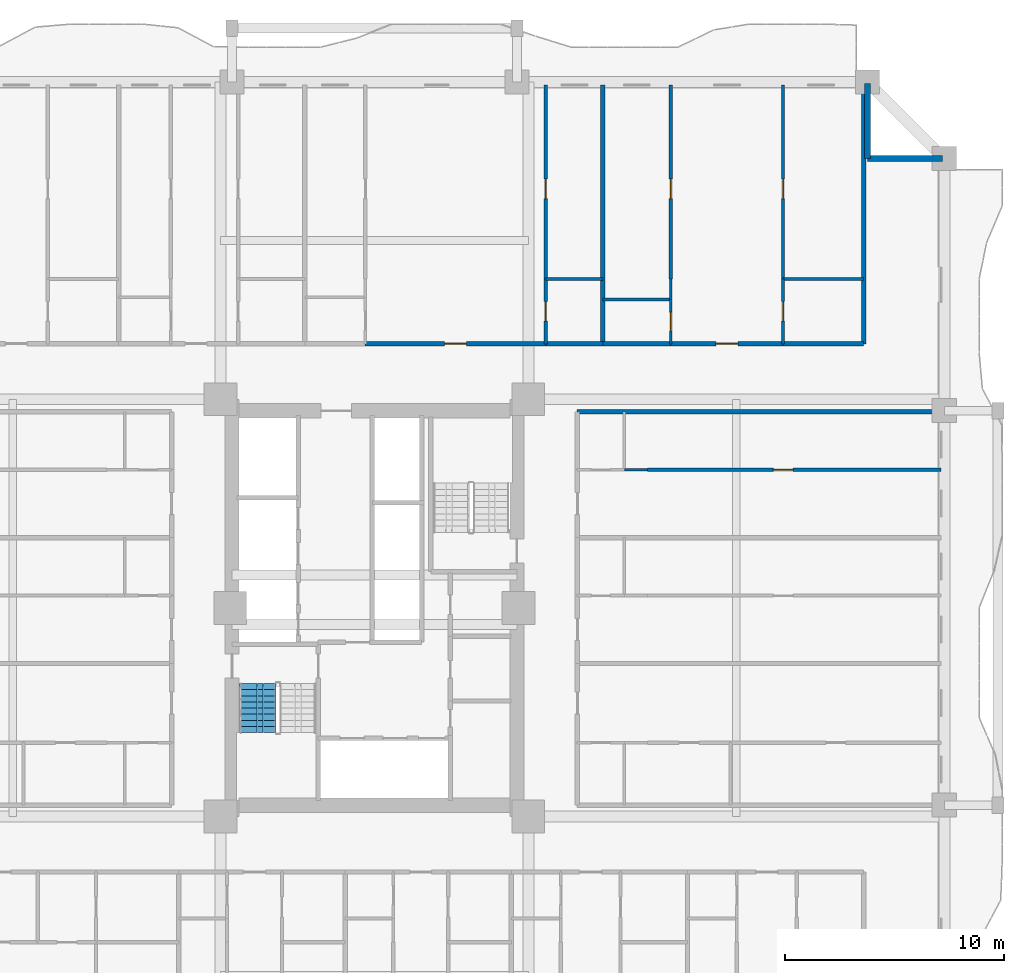
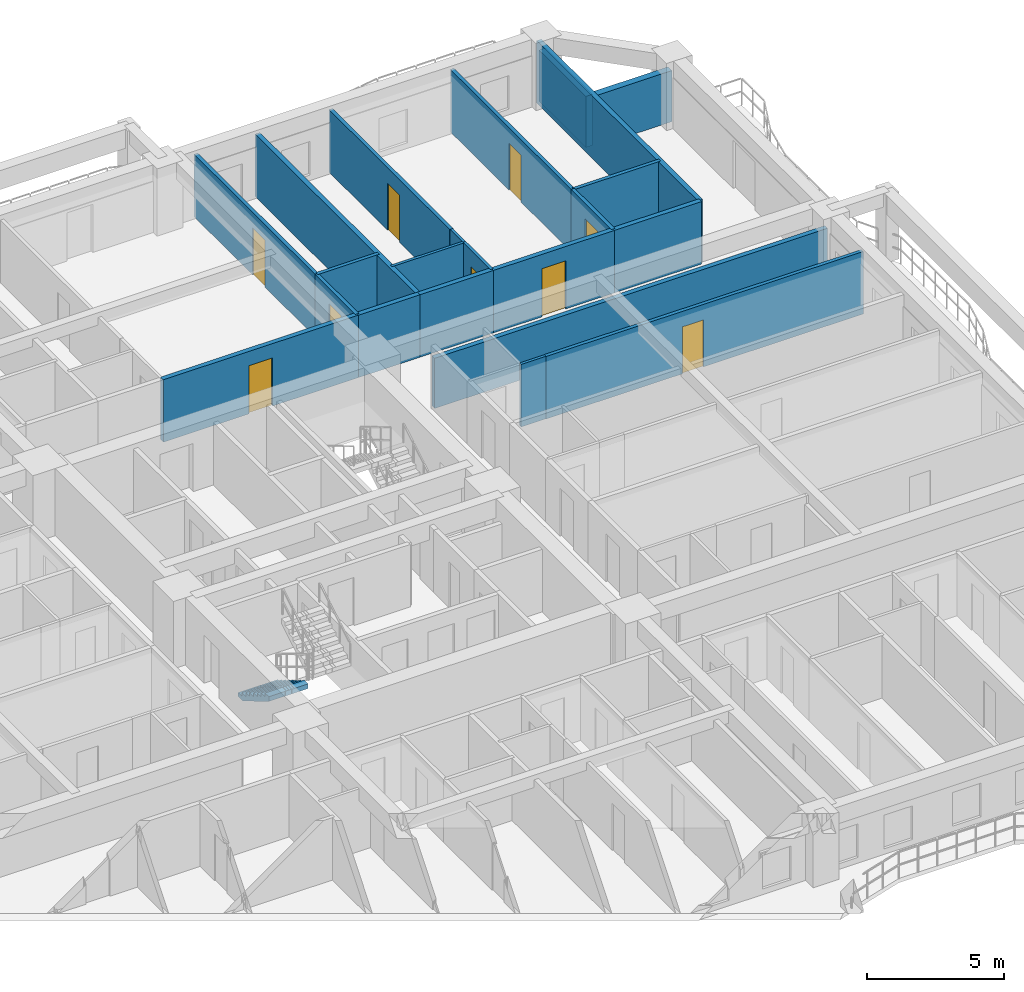
# One storey, part 9 of 16: 22 walls, 9 doors, 1 stair flight, 9 openings, 1 element without a shape of its own.
"""IFC4 building model written with IfcOpenShell, lengths in metres."""

from ifc_helpers import new_model, si_unit, direction, frame, frame_2d, origin, place, context, subcontext, project, spatial, polyline, rectangle, outline, extrude, source, transform, mapped, material, layer, layer_set, type_object, element, fill, aggregate, save


model = new_model("IFC4")

# Units and contexts
model_context = context("Model", 3, precision=1e-05, world=origin(), true_north=direction((0.0, 1.0)))
body_context = subcontext(model_context, "Body", "Model", "MODEL_VIEW")
ifc_project = project(units=[si_unit("LENGTHUNIT", "METRE"), si_unit("AREAUNIT", "SQUARE_METRE"), si_unit("VOLUMEUNIT", "CUBIC_METRE"), si_unit("PLANEANGLEUNIT", "RADIAN"), si_unit("MASSUNIT", "GRAM", prefix="KILO")], contexts=[model_context])

# Site, building, storey
site_placement = place(None, origin())
site = spatial("IfcSite", under=ifc_project, at=site_placement, CompositionType="ELEMENT")
building_placement = place(site_placement, origin())
building = spatial("IfcBuilding", under=site, at=building_placement, Name="Saelheon Loggia Tower", CompositionType="ELEMENT")
storey_placement = place(building_placement, frame((0.0, 0.0, 55.39990234375)))
storey = spatial("IfcBuildingStorey", under=building, at=storey_placement, Name="L17", CompositionType="ELEMENT", Elevation=55.39990234375)

# Walls
ifc_material_1 = material(Name="Architectural Precast Concrete C40/50", Category="concrete")
ifc_layer_1 = layer(ifc_material_1, 0.280029296875)
ifc_layer_set_1 = layer_set([ifc_layer_1], Name="Architectural Precast Concrete C40/50")
wall_type_1 = type_object("IfcWallType", Name="Wall_Ext_Loggia_280", PredefinedType="SOLIDWALL", material=ifc_layer_set_1)
for number, where, z_axis, x_axis, name in (
    (1, (60.5, 47.5, 0.0), (0.0, 0.0, 1.0), (0.0, 1.0, 0.0), "L17 Corner Notch Precast Wall NE1"),
    (2, (60.5, 47.5, 0.0), (0.0, 0.0, 1.0), (1.0, 0.0, 0.0), "L17 Corner Notch Precast Wall NE2"),
):
    element("IfcWall", number, at=place(storey_placement, frame(where, z_axis=z_axis, x_axis=x_axis)), inside=storey, type_object=wall_type_1, Name=name, PredefinedType="SOLIDWALL", context=body_context, shape_type="SweptSolid", body=[
        extrude(rectangle(XDim=3.419921875, YDim=0.280029296875, at=frame_2d((1.7099609375, 0.0))), origin(), (0.0, 0.0, 1.0), 2.280029296875),
    ])
ifc_material_2 = material(Name="Lightweight Autoclaved Aerated Concrete Block and Acoustic Gypsum", Category="concrete")
ifc_layer_2 = layer(ifc_material_2, 0.14990234375)
ifc_layer_set_2 = layer_set([ifc_layer_2], Name="Lightweight Autoclaved Aerated Concrete Block and Acoustic Gypsum")
wall_type_2 = type_object("IfcWallType", Name="Wall_Part_150", PredefinedType="PARTITIONING", material=ifc_layer_set_2)
wall_1_placement = place(storey_placement, frame((45.820068359375, 42.010009765625, 0.0), z_axis=(0.0, 0.0, 1.0), x_axis=(1.0, 0.0, 0.0)))
element("IfcWall", 3, at=wall_1_placement, inside=storey, type_object=wall_type_2, Name="L17 N Partition V31", PredefinedType="PARTITIONING", context=body_context, shape_type="SweptSolid", body=[
    extrude(rectangle(XDim=2.602783203125, YDim=0.14990234375, at=frame_2d((1.30126953125, 0.0))), origin(), (0.0, 0.0, 1.0), 2.7900390625),
])

# Wall, opening, door
wall_2_placement = place(storey_placement, frame((45.820068359375, 39.050048828125, 0.0), z_axis=(0.0, 0.0, 1.0), x_axis=(0.0, 1.0, 0.0)))
wall_2 = element("IfcWall", 4, at=wall_2_placement, inside=storey, type_object=wall_type_2, Name="L17 N Partition U35", PredefinedType="PARTITIONING", context=body_context, shape_type="SweptSolid", body=[
    extrude(rectangle(XDim=2.9599609375, YDim=0.14990234375, at=frame_2d((1.47998046875, 0.0))), origin(), (0.0, 0.0, 1.0), 2.7900390625),
])
opening_1_placement = place(wall_2_placement, frame((1.030029296875, 0.0, 0.0)))
opening_1 = element("IfcOpeningElement", 5, at=opening_1_placement, cuts=wall_2, Name="Opening D-IN2", PredefinedType="OPENING", context=body_context, shape_type="SweptSolid", body=[
    extrude(rectangle(XDim=0.89990234375, YDim=2.10009765625, at=frame_2d((0.449951171875, 1.050048828125))), frame((0.0, 0.0869140625, 0.0), z_axis=(0.0, -1.0, 0.0), x_axis=(1.0, 0.0, 0.0)), (0.0, 0.0, 1.0), 0.173828125),
])
ifc_material_3 = material(Name="Engineered Oak Flush Door", Category="timber")
door_type_1 = type_object("IfcDoorType", Name="Door_Int_900", OperationType="NOTDEFINED", PredefinedType="DOOR", material=ifc_material_3)
shared_shape_1 = source(origin(), body_context, "Body", "SweptSolid", [
    extrude(rectangle(XDim=0.89990234375, YDim=2.10009765625, at=frame_2d((0.449951171875, 1.050048828125))), frame((0.0, 0.02490234375, 0.0), z_axis=(0.0, -1.0, 0.0), x_axis=(1.0, 0.0, 0.0)), (0.0, 0.0, 1.0), 0.050048828125),
])
door_1_placement = place(opening_1_placement, origin())
door_1 = element("IfcDoor", 6, at=door_1_placement, inside=storey, type_object=door_type_1, Name="Unit U08 Dressing Closet Door", OperationType="SINGLE_SWING_RIGHT", OverallHeight=2.10009765625, OverallWidth=0.89990234375, PredefinedType="DOOR", context=body_context, shape_type="MappedRepresentation", body=[
    mapped(shared_shape_1, transform((0.0, 0.0, 0.0), scale=1.0)),
])
fill(opening_1, door_1)

wall_3_placement = place(storey_placement, frame((45.820068359375, 42.010009765625, 0.0), z_axis=(0.0, 0.0, 1.0), x_axis=(0.0, 1.0, 0.0)))
wall_3 = element("IfcWall", 7, at=wall_3_placement, inside=storey, type_object=wall_type_2, Name="L17 N Partition U36", PredefinedType="PARTITIONING", context=body_context, shape_type="SweptSolid", body=[
    extrude(rectangle(XDim=8.840087890625, YDim=0.14990234375, at=frame_2d((4.419921875, 0.0))), origin(), (0.0, 0.0, 1.0), 2.7900390625),
])
opening_2_placement = place(wall_3_placement, frame((3.6591796875, 0.0, 0.0)))
opening_2 = element("IfcOpeningElement", 8, at=opening_2_placement, cuts=wall_3, Name="Opening D-IN2", PredefinedType="OPENING", context=body_context, shape_type="SweptSolid", body=[
    extrude(rectangle(XDim=0.89990234375, YDim=2.10009765625, at=frame_2d((0.449951171875, 1.050048828125))), frame((0.0, 0.0869140625, 0.0), z_axis=(0.0, -1.0, 0.0), x_axis=(1.0, 0.0, 0.0)), (0.0, 0.0, 1.0), 0.173828125),
])
door_2_placement = place(opening_2_placement, origin())
door_2 = element("IfcDoor", 9, at=door_2_placement, inside=storey, type_object=door_type_1, Name="Unit U08 Bedroom 1 Door", OperationType="SINGLE_SWING_LEFT", OverallHeight=2.10009765625, OverallWidth=0.89990234375, PredefinedType="DOOR", context=body_context, shape_type="MappedRepresentation", body=[
    mapped(shared_shape_1, transform((0.0, 0.0, 0.0), scale=1.0)),
])
fill(opening_2, door_2)

# Wall
wall_4_placement = place(storey_placement, frame((56.6435546875, 42.010009765625, 0.0), z_axis=(0.0, 0.0, 1.0), x_axis=(1.0, 0.0, 0.0)))
element("IfcWall", 10, at=wall_4_placement, inside=storey, type_object=wall_type_2, Name="L17 N Partition V42", PredefinedType="PARTITIONING", context=body_context, shape_type="SweptSolid", body=[
    extrude(rectangle(XDim=3.676513671875, YDim=0.14990234375, at=frame_2d((1.83837890625, 0.0))), origin(), (0.0, 0.0, 1.0), 2.7900390625),
])

# Wall, opening, door
wall_5_placement = place(storey_placement, frame((51.51611328125, 42.010009765625, 0.0), z_axis=(0.0, 0.0, 1.0), x_axis=(0.0, 1.0, 0.0)))
wall_5 = element("IfcWall", 11, at=wall_5_placement, inside=storey, type_object=wall_type_2, Name="L17 N Partition U45", PredefinedType="PARTITIONING", context=body_context, shape_type="SweptSolid", body=[
    extrude(rectangle(XDim=8.840087890625, YDim=0.14990234375, at=frame_2d((4.419921875, 0.0))), origin(), (0.0, 0.0, 1.0), 2.7900390625),
])
opening_3_placement = place(wall_5_placement, frame((3.6591796875, 0.0, 0.0)))
opening_3 = element("IfcOpeningElement", 12, at=opening_3_placement, cuts=wall_5, Name="Opening D-IN2", PredefinedType="OPENING", context=body_context, shape_type="SweptSolid", body=[
    extrude(rectangle(XDim=0.89990234375, YDim=2.10009765625, at=frame_2d((0.449951171875, 1.050048828125))), frame((0.0, 0.0869140625, 0.0), z_axis=(0.0, -1.0, 0.0), x_axis=(1.0, 0.0, 0.0)), (0.0, 0.0, 1.0), 0.173828125),
])
door_3_placement = place(opening_3_placement, origin())
door_3 = element("IfcDoor", 13, at=door_3_placement, inside=storey, type_object=door_type_1, Name="Unit U09 Bedroom 2 Door", OperationType="SINGLE_SWING_RIGHT", OverallHeight=2.10009765625, OverallWidth=0.89990234375, PredefinedType="DOOR", context=body_context, shape_type="MappedRepresentation", body=[
    mapped(shared_shape_1, transform((0.0, 0.0, 0.0), scale=1.0)),
])
fill(opening_3, door_3)

wall_6_placement = place(storey_placement, frame((56.6435546875, 39.050048828125, 0.0), z_axis=(0.0, 0.0, 1.0), x_axis=(0.0, 1.0, 0.0)))
wall_6 = element("IfcWall", 14, at=wall_6_placement, inside=storey, type_object=wall_type_2, Name="L17 N Partition U46", PredefinedType="PARTITIONING", context=body_context, shape_type="SweptSolid", body=[
    extrude(rectangle(XDim=2.9599609375, YDim=0.14990234375, at=frame_2d((1.47998046875, 0.0))), origin(), (0.0, 0.0, 1.0), 2.7900390625),
])
opening_4_placement = place(wall_6_placement, frame((1.030029296875, 0.0, 0.0)))
opening_4 = element("IfcOpeningElement", 15, at=opening_4_placement, cuts=wall_6, Name="Opening D-IN2", PredefinedType="OPENING", context=body_context, shape_type="SweptSolid", body=[
    extrude(rectangle(XDim=0.89990234375, YDim=2.10009765625, at=frame_2d((0.449951171875, 1.050048828125))), frame((0.0, 0.0869140625, 0.0), z_axis=(0.0, -1.0, 0.0), x_axis=(1.0, 0.0, 0.0)), (0.0, 0.0, 1.0), 0.173828125),
])
door_4_placement = place(opening_4_placement, origin())
door_4 = element("IfcDoor", 16, at=door_4_placement, inside=storey, type_object=door_type_1, Name="Unit U09 Kitchen Door", OperationType="SINGLE_SWING_LEFT", OverallHeight=2.10009765625, OverallWidth=0.89990234375, PredefinedType="DOOR", context=body_context, shape_type="MappedRepresentation", body=[
    mapped(shared_shape_1, transform((0.0, 0.0, 0.0), scale=1.0)),
])
fill(opening_4, door_4)

wall_7_placement = place(storey_placement, frame((56.6435546875, 42.010009765625, 0.0), z_axis=(0.0, 0.0, 1.0), x_axis=(0.0, 1.0, 0.0)))
wall_7 = element("IfcWall", 17, at=wall_7_placement, inside=storey, type_object=wall_type_2, Name="L17 N Partition U47", PredefinedType="PARTITIONING", context=body_context, shape_type="SweptSolid", body=[
    extrude(rectangle(XDim=8.840087890625, YDim=0.14990234375, at=frame_2d((4.419921875, 0.0))), origin(), (0.0, 0.0, 1.0), 2.7900390625),
])
opening_5_placement = place(wall_7_placement, frame((3.6591796875, 0.0, 0.0)))
opening_5 = element("IfcOpeningElement", 18, at=opening_5_placement, cuts=wall_7, Name="Opening D-IN2", PredefinedType="OPENING", context=body_context, shape_type="SweptSolid", body=[
    extrude(rectangle(XDim=0.89990234375, YDim=2.10009765625, at=frame_2d((0.449951171875, 1.050048828125))), frame((0.0, 0.0869140625, 0.0), z_axis=(0.0, -1.0, 0.0), x_axis=(1.0, 0.0, 0.0)), (0.0, 0.0, 1.0), 0.173828125),
])
door_5_placement = place(opening_5_placement, origin())
door_5 = element("IfcDoor", 19, at=door_5_placement, inside=storey, type_object=door_type_1, Name="Unit U09 Bedroom 1 Door", OperationType="SINGLE_SWING_RIGHT", OverallHeight=2.10009765625, OverallWidth=0.89990234375, PredefinedType="DOOR", context=body_context, shape_type="MappedRepresentation", body=[
    mapped(shared_shape_1, transform((0.0, 0.0, 0.0), scale=1.0)),
])
fill(opening_5, door_5)

wall_8_placement = place(storey_placement, frame((50.449951171875, 33.307861328125, 0.0), z_axis=(0.0, 0.0, 1.0), x_axis=(1.0, 0.0, 0.0)))
wall_8 = element("IfcWall", 20, at=wall_8_placement, inside=storey, type_object=wall_type_2, Name="L17 E Partition U24", PredefinedType="PARTITIONING", context=body_context, shape_type="SweptSolid", body=[
    extrude(rectangle(XDim=13.400146484375, YDim=0.14990234375, at=frame_2d((6.7001953125, 0.0))), origin(), (0.0, 0.0, 1.0), 2.7900390625),
])
opening_6_placement = place(wall_8_placement, frame((5.749267578125, 0.0, 0.0)))
opening_6 = element("IfcOpeningElement", 21, at=opening_6_placement, cuts=wall_8, Name="Opening D-IN2", PredefinedType="OPENING", context=body_context, shape_type="SweptSolid", body=[
    extrude(rectangle(XDim=0.89990234375, YDim=2.10009765625, at=frame_2d((0.449951171875, 1.050048828125))), frame((0.0, 0.0869140625, 0.0), z_axis=(0.0, -1.0, 0.0), x_axis=(1.0, 0.0, 0.0)), (0.0, 0.0, 1.0), 0.173828125),
])
door_6_placement = place(opening_6_placement, origin())
door_6 = element("IfcDoor", 22, at=door_6_placement, inside=storey, type_object=door_type_1, Name="Unit U15 Kitchen Door", OperationType="SINGLE_SWING_RIGHT", OverallHeight=2.10009765625, OverallWidth=0.89990234375, PredefinedType="DOOR", context=body_context, shape_type="MappedRepresentation", body=[
    mapped(shared_shape_1, transform((0.0, 0.0, 0.0), scale=1.0)),
])
fill(opening_6, door_6)

# Wall
ifc_material_4 = material(Name="Double Acoustic Stud and Fireboard Partition", Category="gypsum")
ifc_layer_3 = layer(ifc_material_4, 0.199951171875)
ifc_layer_set_3 = layer_set([ifc_layer_3], Name="Double Acoustic Stud and Fireboard Partition")
wall_type_3 = type_object("IfcWallType", Name="Wall_Party_200", PredefinedType="PARTITIONING", material=ifc_layer_set_3)
wall_9_placement = place(storey_placement, frame((60.320068359375, 39.050048828125, 0.0), z_axis=(0.0, 0.0, 1.0), x_axis=(0.0, 1.0, 0.0)))
element("IfcWall", 23, at=wall_9_placement, inside=storey, type_object=wall_type_3, Name="L17 N Partition U02", PredefinedType="PARTITIONING", context=body_context, shape_type="SweptSolid", body=[
    extrude(rectangle(XDim=11.800048828125, YDim=0.199951171875, at=frame_2d((5.89990234375, 0.0))), origin(), (0.0, 0.0, 1.0), 2.7900390625),
])

# Wall, opening, door
wall_10_placement = place(storey_placement, frame((37.575927734375, 39.050048828125, 0.0), z_axis=(0.0, 0.0, 1.0), x_axis=(1.0, 0.0, 0.0)))
wall_10 = element("IfcWall", 24, at=wall_10_placement, inside=storey, type_object=wall_type_3, Name="L17 N Partition V28", PredefinedType="PARTITIONING", context=body_context, shape_type="SweptSolid", body=[
    extrude(rectangle(XDim=8.244140625, YDim=0.199951171875, at=frame_2d((4.1220703125, 0.0))), origin(), (0.0, 0.0, 1.0), 2.7900390625),
])
opening_7_placement = place(wall_10_placement, frame((3.6220703125, 0.0, 0.0)))
opening_7 = element("IfcOpeningElement", 25, at=opening_7_placement, cuts=wall_10, Name="Opening D-FD1", PredefinedType="OPENING", context=body_context, shape_type="SweptSolid", body=[
    extrude(rectangle(XDim=1.0, YDim=2.14990234375, at=frame_2d((0.5, 1.074951171875))), frame((0.0, 0.112060546875, 0.0), z_axis=(0.0, -1.0, 0.0), x_axis=(1.0, 0.0, 0.0)), (0.0, 0.0, 1.0), 0.223876953125),
])
ifc_material_5 = material(Name="Fire-Rated Engineered Timber Entrance Door", Category="wood")
door_type_2 = type_object("IfcDoorType", Name="Door_Flat_FD30S", OperationType="NOTDEFINED", PredefinedType="DOOR", material=ifc_material_5)
shared_shape_2 = source(origin(), body_context, "Body", "SweptSolid", [
    extrude(rectangle(XDim=1.0, YDim=2.14990234375, at=frame_2d((0.5, 1.074951171875))), frame((0.0, 0.02490234375, 0.0), z_axis=(0.0, -1.0, 0.0), x_axis=(1.0, 0.0, 0.0)), (0.0, 0.0, 1.0), 0.050048828125),
])
door_7_placement = place(opening_7_placement, origin())
door_7 = element("IfcDoor", 26, at=door_7_placement, inside=storey, type_object=door_type_2, Name="Unit U08 Entrance Door", OperationType="SINGLE_SWING_LEFT", OverallHeight=2.14990234375, OverallWidth=1.0, PredefinedType="DOOR", context=body_context, shape_type="MappedRepresentation", body=[
    mapped(shared_shape_2, transform((0.0, 0.0, 0.0), scale=1.0)),
])
fill(opening_7, door_7)

# Walls
wall_11_placement = place(storey_placement, frame((45.820068359375, 39.050048828125, 0.0), z_axis=(0.0, 0.0, 1.0), x_axis=(1.0, 0.0, 0.0)))
element("IfcWall", 27, at=wall_11_placement, inside=storey, type_object=wall_type_3, Name="L17 N Partition V29", PredefinedType="PARTITIONING", context=body_context, shape_type="SweptSolid", body=[
    extrude(rectangle(XDim=2.602783203125, YDim=0.199951171875, at=frame_2d((1.30126953125, 0.0))), origin(), (0.0, 0.0, 1.0), 2.7900390625),
])
wall_12_placement = place(storey_placement, frame((48.4228515625, 39.050048828125, 0.0), z_axis=(0.0, 0.0, 1.0), x_axis=(0.0, 1.0, 0.0)))
element("IfcWall", 28, at=wall_12_placement, inside=storey, type_object=wall_type_3, Name="L17 N Partition U37", PredefinedType="PARTITIONING", context=body_context, shape_type="SweptSolid", body=[
    extrude(rectangle(XDim=11.800048828125, YDim=0.199951171875, at=frame_2d((5.89990234375, 0.0))), origin(), (0.0, 0.0, 1.0), 2.7900390625),
])
wall_13_placement = place(storey_placement, frame((48.4228515625, 39.050048828125, 0.0), z_axis=(0.0, 0.0, 1.0), x_axis=(1.0, 0.0, 0.0)))
element("IfcWall", 29, at=wall_13_placement, inside=storey, type_object=wall_type_3, Name="L17 N Partition V38", PredefinedType="PARTITIONING", context=body_context, shape_type="SweptSolid", body=[
    extrude(rectangle(XDim=3.09326171875, YDim=0.199951171875, at=frame_2d((1.546630859375, 0.0))), origin(), (0.0, 0.0, 1.0), 2.7900390625),
])

# Wall, opening, door
wall_14_placement = place(storey_placement, frame((51.51611328125, 39.050048828125, 0.0), z_axis=(0.0, 0.0, 1.0), x_axis=(1.0, 0.0, 0.0)))
wall_14 = element("IfcWall", 30, at=wall_14_placement, inside=storey, type_object=wall_type_3, Name="L17 N Partition V39", PredefinedType="PARTITIONING", context=body_context, shape_type="SweptSolid", body=[
    extrude(rectangle(XDim=5.12744140625, YDim=0.199951171875, at=frame_2d((2.563720703125, 0.0))), origin(), (0.0, 0.0, 1.0), 2.7900390625),
])
opening_8_placement = place(wall_14_placement, frame((2.063720703125, 0.0, 0.0)))
opening_8 = element("IfcOpeningElement", 31, at=opening_8_placement, cuts=wall_14, Name="Opening D-FD1", PredefinedType="OPENING", context=body_context, shape_type="SweptSolid", body=[
    extrude(rectangle(XDim=1.0, YDim=2.14990234375, at=frame_2d((0.5, 1.074951171875))), frame((0.0, 0.112060546875, 0.0), z_axis=(0.0, -1.0, 0.0), x_axis=(1.0, 0.0, 0.0)), (0.0, 0.0, 1.0), 0.223876953125),
])
door_8_placement = place(opening_8_placement, origin())
door_8 = element("IfcDoor", 32, at=door_8_placement, inside=storey, type_object=door_type_2, Name="Unit U09 Entrance Door", OperationType="SINGLE_SWING_RIGHT", OverallHeight=2.14990234375, OverallWidth=1.0, PredefinedType="DOOR", context=body_context, shape_type="MappedRepresentation", body=[
    mapped(shared_shape_2, transform((0.0, 0.0, 0.0), scale=1.0)),
])
fill(opening_8, door_8)

# Walls
wall_15_placement = place(storey_placement, frame((56.6435546875, 39.050048828125, 0.0), z_axis=(0.0, 0.0, 1.0), x_axis=(1.0, 0.0, 0.0)))
element("IfcWall", 33, at=wall_15_placement, inside=storey, type_object=wall_type_3, Name="L17 N Partition V40", PredefinedType="PARTITIONING", context=body_context, shape_type="SweptSolid", body=[
    extrude(rectangle(XDim=3.676513671875, YDim=0.199951171875, at=frame_2d((1.83837890625, 0.0))), origin(), (0.0, 0.0, 1.0), 2.7900390625),
])
wall_16_placement = place(storey_placement, frame((47.25, 35.949951171875, 0.0), z_axis=(0.0, 0.0, 1.0), x_axis=(1.0, 0.0, 0.0)))
element("IfcWall", 34, at=wall_16_placement, inside=storey, type_object=wall_type_3, Name="L17 E Partition U02", PredefinedType="PARTITIONING", context=body_context, shape_type="SweptSolid", body=[
    extrude(rectangle(XDim=16.60009765625, YDim=0.199951171875, at=frame_2d((8.300048828125, 0.0))), origin(), (0.0, 0.0, 1.0), 2.239990234375),
])
ifc_material_6 = material(Name="Moisture-Resistant Cement Board Partition", Category="gypsum")
ifc_layer_4 = layer(ifc_material_6, 0.1201171875)
ifc_layer_set_4 = layer_set([ifc_layer_4], Name="Moisture-Resistant Cement Board Partition")
wall_type_4 = type_object("IfcWallType", Name="Wall_WetPart_120", PredefinedType="PARTITIONING", material=ifc_layer_set_4)
wall_17_placement = place(storey_placement, frame((48.4228515625, 41.070068359375, 0.0), z_axis=(0.0, 0.0, 1.0), x_axis=(1.0, 0.0, 0.0)))
element("IfcWall", 35, at=wall_17_placement, inside=storey, type_object=wall_type_4, Name="L17 N Partition V41", PredefinedType="PARTITIONING", context=body_context, shape_type="SweptSolid", body=[
    extrude(rectangle(XDim=3.09326171875, YDim=0.1201171875, at=frame_2d((1.546630859375, 0.0))), origin(), (0.0, 0.0, 1.0), 2.7900390625),
])

# Wall, opening, door
wall_18_placement = place(storey_placement, frame((51.51611328125, 39.050048828125, 0.0), z_axis=(0.0, 0.0, 1.0), x_axis=(0.0, 1.0, 0.0)))
wall_18 = element("IfcWall", 36, at=wall_18_placement, inside=storey, type_object=wall_type_4, Name="L17 N Partition U43", PredefinedType="PARTITIONING", context=body_context, shape_type="SweptSolid", body=[
    extrude(rectangle(XDim=2.02001953125, YDim=0.1201171875, at=frame_2d((1.010009765625, 0.0))), origin(), (0.0, 0.0, 1.0), 2.7900390625),
])
opening_9_placement = place(wall_18_placement, frame((0.5849609375, 0.0, 0.0)))
opening_9 = element("IfcOpeningElement", 37, at=opening_9_placement, cuts=wall_18, Name="Opening D-BT1", PredefinedType="OPENING", context=body_context, shape_type="SweptSolid", body=[
    extrude(rectangle(XDim=0.85009765625, YDim=2.050048828125, at=frame_2d((0.425048828125, 1.02490234375))), frame((0.0, 0.072021484375, 0.0), z_axis=(0.0, -1.0, 0.0), x_axis=(1.0, 0.0, 0.0)), (0.0, 0.0, 1.0), 0.14404296875),
])
ifc_material_7 = material(Name="Moisture-Resistant Laminate Timber Door", Category="wood")
door_type_3 = type_object("IfcDoorType", Name="Door_Bath_850", OperationType="NOTDEFINED", PredefinedType="DOOR", material=ifc_material_7)
shared_shape_3 = source(origin(), body_context, "Body", "SweptSolid", [
    extrude(rectangle(XDim=0.85009765625, YDim=2.050048828125, at=frame_2d((0.425048828125, 1.02490234375))), frame((0.0, 0.02490234375, 0.0), z_axis=(0.0, -1.0, 0.0), x_axis=(1.0, 0.0, 0.0)), (0.0, 0.0, 1.0), 0.050048828125),
])
door_9_placement = place(opening_9_placement, origin())
door_9 = element("IfcDoor", 38, at=door_9_placement, inside=storey, type_object=door_type_3, Name="Unit U09 Bathroom Door", OperationType="SINGLE_SWING_LEFT", OverallHeight=2.050048828125, OverallWidth=0.85009765625, PredefinedType="DOOR", context=body_context, shape_type="MappedRepresentation", body=[
    mapped(shared_shape_3, transform((0.0, 0.0, 0.0), scale=1.0)),
])
fill(opening_9, door_9)

# Walls
wall_19_placement = place(storey_placement, frame((51.51611328125, 41.070068359375, 0.0), z_axis=(0.0, 0.0, 1.0), x_axis=(0.0, 1.0, 0.0)))
element("IfcWall", 39, at=wall_19_placement, inside=storey, type_object=wall_type_4, Name="L17 N Partition U44", PredefinedType="PARTITIONING", context=body_context, shape_type="SweptSolid", body=[
    extrude(rectangle(XDim=0.93994140625, YDim=0.1201171875, at=frame_2d((0.469970703125, 0.0))), origin(), (0.0, 0.0, 1.0), 2.7900390625),
])
wall_20_placement = place(storey_placement, frame((49.39990234375, 33.307861328125, 0.0), z_axis=(0.0, 0.0, 1.0), x_axis=(1.0, 0.0, 0.0)))
element("IfcWall", 40, at=wall_20_placement, inside=storey, type_object=wall_type_4, Name="L17 E Partition U22", PredefinedType="PARTITIONING", context=body_context, shape_type="SweptSolid", body=[
    extrude(rectangle(XDim=1.050048828125, YDim=0.1201171875, at=frame_2d((0.52490234375, 0.0))), origin(), (0.0, 0.0, 1.0), 2.7900390625),
])

# Stair, stair flight
ifc_material_8 = material(Name="Concrete C40/50", Category="concrete")
stair_type = type_object("IfcStairType", Name="Stair_Escape_Core", PredefinedType="HALF_TURN_STAIR", material=ifc_material_8)
stair_placement = place(storey_placement, origin())
stair = element("IfcStair", 41, at=stair_placement, inside=storey, type_object=stair_type, Name="L17 Special Escape Stair ST1", PredefinedType="HALF_TURN_STAIR")
stair_flight_type = type_object("IfcStairFlightType", Name="StairFlight_Tower_1660", PredefinedType="STRAIGHT", material=ifc_material_8)
stair_flight_placement = place(storey_placement, frame((32.679931640625, 23.550048828125, 0.0), z_axis=(0.0, 0.0, 1.0), x_axis=(0.0, -1.0, 0.0)))
stair_flight = element("IfcStairFlight", 42, at=stair_flight_placement, type_object=stair_flight_type, Name="ST1 flight 1", NumberOfRisers=9, NumberOfTreads=8, PredefinedType="STRAIGHT", RiserHeight=0.166666667, TreadLength=0.28, context=body_context, shape_type="SweptSolid", body=[
    extrude(outline(polyline([(0.0, 0.0), (0.0, 0.166748046875), (0.280029296875, 0.166748046875), (0.280029296875, 0.333251953125), (0.56005859375, 0.333251953125), (0.56005859375, 0.5), (0.840087890625, 0.5), (0.840087890625, 0.666748046875), (1.1201171875, 0.666748046875), (1.1201171875, 0.833251953125), (1.39990234375, 0.833251953125), (1.39990234375, 1.0), (1.679931640625, 1.0), (1.679931640625, 1.166748046875), (1.9599609375, 1.166748046875), (1.9599609375, 1.333251953125), (2.239990234375, 1.333251953125), (2.239990234375, 1.5), (2.239990234375, 1.1240234375), (0.351806640625, 0.0), (0.0, 0.0)])), frame((0.0, -0.2490234375, 0.0), z_axis=(0.0, -1.0, 0.0), x_axis=(1.0, 0.0, 0.0)), (0.0, 0.0, 1.0), 0.5810546875),
    extrude(outline(polyline([(0.0, 0.0), (0.0, 0.166748046875), (0.280029296875, 0.166748046875), (0.280029296875, 0.333251953125), (0.56005859375, 0.333251953125), (0.56005859375, 0.5), (0.840087890625, 0.5), (0.840087890625, 0.666748046875), (1.1201171875, 0.666748046875), (1.1201171875, 0.833251953125), (1.39990234375, 0.833251953125), (1.39990234375, 1.0), (1.679931640625, 1.0), (1.679931640625, 1.166748046875), (1.9599609375, 1.166748046875), (1.9599609375, 1.333251953125), (2.239990234375, 1.333251953125), (2.239990234375, 1.5), (2.239990234375, 1.1240234375), (0.351806640625, 0.0), (0.0, 0.0)])), frame((0.0, -0.194091796875, 0.0), z_axis=(0.0, -1.0, 0.0), x_axis=(1.0, 0.0, 0.0)), (0.0, 0.0, 1.0), 0.0498046875),
    extrude(outline(polyline([(0.0, 0.0), (0.0, 0.166748046875), (0.280029296875, 0.166748046875), (0.280029296875, 0.333251953125), (0.56005859375, 0.333251953125), (0.56005859375, 0.5), (0.840087890625, 0.5), (0.840087890625, 0.666748046875), (1.1201171875, 0.666748046875), (1.1201171875, 0.833251953125), (1.39990234375, 0.833251953125), (1.39990234375, 1.0), (1.679931640625, 1.0), (1.679931640625, 1.166748046875), (1.9599609375, 1.166748046875), (1.9599609375, 1.333251953125), (2.239990234375, 1.333251953125), (2.239990234375, 1.5), (2.239990234375, 1.1240234375), (0.351806640625, 0.0), (0.0, 0.0)])), frame((0.0, -0.139404296875, 0.0), z_axis=(0.0, -1.0, 0.0), x_axis=(1.0, 0.0, 0.0)), (0.0, 0.0, 1.0), 0.0498046875),
    extrude(outline(polyline([(0.0, 0.0), (0.0, 0.166748046875), (0.280029296875, 0.166748046875), (0.280029296875, 0.333251953125), (0.56005859375, 0.333251953125), (0.56005859375, 0.5), (0.840087890625, 0.5), (0.840087890625, 0.666748046875), (1.1201171875, 0.666748046875), (1.1201171875, 0.833251953125), (1.39990234375, 0.833251953125), (1.39990234375, 1.0), (1.679931640625, 1.0), (1.679931640625, 1.166748046875), (1.9599609375, 1.166748046875), (1.9599609375, 1.333251953125), (2.239990234375, 1.333251953125), (2.239990234375, 1.5), (2.239990234375, 1.1240234375), (0.351806640625, 0.0), (0.0, 0.0)])), frame((0.0, -0.084716796875, 0.0), z_axis=(0.0, -1.0, 0.0), x_axis=(1.0, 0.0, 0.0)), (0.0, 0.0, 1.0), 0.0498046875),
    extrude(outline(polyline([(0.0, 0.0), (0.0, 0.166748046875), (0.280029296875, 0.166748046875), (0.280029296875, 0.333251953125), (0.56005859375, 0.333251953125), (0.56005859375, 0.5), (0.840087890625, 0.5), (0.840087890625, 0.666748046875), (1.1201171875, 0.666748046875), (1.1201171875, 0.833251953125), (1.39990234375, 0.833251953125), (1.39990234375, 1.0), (1.679931640625, 1.0), (1.679931640625, 1.166748046875), (1.9599609375, 1.166748046875), (1.9599609375, 1.333251953125), (2.239990234375, 1.333251953125), (2.239990234375, 1.5), (2.239990234375, 1.1240234375), (0.351806640625, 0.0), (0.0, 0.0)])), frame((0.0, -0.02978515625, 0.0), z_axis=(0.0, -1.0, 0.0), x_axis=(1.0, 0.0, 0.0)), (0.0, 0.0, 1.0), 0.0498046875),
    extrude(outline(polyline([(0.0, 0.0), (0.0, 0.166748046875), (0.280029296875, 0.166748046875), (0.280029296875, 0.333251953125), (0.56005859375, 0.333251953125), (0.56005859375, 0.5), (0.840087890625, 0.5), (0.840087890625, 0.666748046875), (1.1201171875, 0.666748046875), (1.1201171875, 0.833251953125), (1.39990234375, 0.833251953125), (1.39990234375, 1.0), (1.679931640625, 1.0), (1.679931640625, 1.166748046875), (1.9599609375, 1.166748046875), (1.9599609375, 1.333251953125), (2.239990234375, 1.333251953125), (2.239990234375, 1.5), (2.239990234375, 1.1240234375), (0.351806640625, 0.0), (0.0, 0.0)])), frame((0.0, 0.02490234375, 0.0), z_axis=(0.0, -1.0, 0.0), x_axis=(1.0, 0.0, 0.0)), (0.0, 0.0, 1.0), 0.0498046875),
    extrude(outline(polyline([(0.0, 0.0), (0.0, 0.166748046875), (0.280029296875, 0.166748046875), (0.280029296875, 0.333251953125), (0.56005859375, 0.333251953125), (0.56005859375, 0.5), (0.840087890625, 0.5), (0.840087890625, 0.666748046875), (1.1201171875, 0.666748046875), (1.1201171875, 0.833251953125), (1.39990234375, 0.833251953125), (1.39990234375, 1.0), (1.679931640625, 1.0), (1.679931640625, 1.166748046875), (1.9599609375, 1.166748046875), (1.9599609375, 1.333251953125), (2.239990234375, 1.333251953125), (2.239990234375, 1.5), (2.239990234375, 1.1240234375), (0.351806640625, 0.0), (0.0, 0.0)])), frame((0.0, 0.07958984375, 0.0), z_axis=(0.0, -1.0, 0.0), x_axis=(1.0, 0.0, 0.0)), (0.0, 0.0, 1.0), 0.0498046875),
    extrude(outline(polyline([(0.0, 0.0), (0.0, 0.166748046875), (0.280029296875, 0.166748046875), (0.280029296875, 0.333251953125), (0.56005859375, 0.333251953125), (0.56005859375, 0.5), (0.840087890625, 0.5), (0.840087890625, 0.666748046875), (1.1201171875, 0.666748046875), (1.1201171875, 0.833251953125), (1.39990234375, 0.833251953125), (1.39990234375, 1.0), (1.679931640625, 1.0), (1.679931640625, 1.166748046875), (1.9599609375, 1.166748046875), (1.9599609375, 1.333251953125), (2.239990234375, 1.333251953125), (2.239990234375, 1.5), (2.239990234375, 1.1240234375), (0.351806640625, 0.0), (0.0, 0.0)])), frame((0.0, 0.134521484375, 0.0), z_axis=(0.0, -1.0, 0.0), x_axis=(1.0, 0.0, 0.0)), (0.0, 0.0, 1.0), 0.0498046875),
    extrude(outline(polyline([(0.0, 0.0), (0.0, 0.166748046875), (0.280029296875, 0.166748046875), (0.280029296875, 0.333251953125), (0.56005859375, 0.333251953125), (0.56005859375, 0.5), (0.840087890625, 0.5), (0.840087890625, 0.666748046875), (1.1201171875, 0.666748046875), (1.1201171875, 0.833251953125), (1.39990234375, 0.833251953125), (1.39990234375, 1.0), (1.679931640625, 1.0), (1.679931640625, 1.166748046875), (1.9599609375, 1.166748046875), (1.9599609375, 1.333251953125), (2.239990234375, 1.333251953125), (2.239990234375, 1.5), (2.239990234375, 1.1240234375), (0.351806640625, 0.0), (0.0, 0.0)])), frame((0.0, 0.189208984375, 0.0), z_axis=(0.0, -1.0, 0.0), x_axis=(1.0, 0.0, 0.0)), (0.0, 0.0, 1.0), 0.0498046875),
    extrude(outline(polyline([(0.0, 0.0), (0.0, 0.166748046875), (0.280029296875, 0.166748046875), (0.280029296875, 0.333251953125), (0.56005859375, 0.333251953125), (0.56005859375, 0.5), (0.840087890625, 0.5), (0.840087890625, 0.666748046875), (1.1201171875, 0.666748046875), (1.1201171875, 0.833251953125), (1.39990234375, 0.833251953125), (1.39990234375, 1.0), (1.679931640625, 1.0), (1.679931640625, 1.166748046875), (1.9599609375, 1.166748046875), (1.9599609375, 1.333251953125), (2.239990234375, 1.333251953125), (2.239990234375, 1.5), (2.239990234375, 1.1240234375), (0.351806640625, 0.0), (0.0, 0.0)])), frame((0.0, 0.243896484375, 0.0), z_axis=(0.0, -1.0, 0.0), x_axis=(1.0, 0.0, 0.0)), (0.0, 0.0, 1.0), 0.0498046875),
    extrude(outline(polyline([(0.0, 0.0), (0.0, 0.166748046875), (0.280029296875, 0.166748046875), (0.280029296875, 0.333251953125), (0.56005859375, 0.333251953125), (0.56005859375, 0.5), (0.840087890625, 0.5), (0.840087890625, 0.666748046875), (1.1201171875, 0.666748046875), (1.1201171875, 0.833251953125), (1.39990234375, 0.833251953125), (1.39990234375, 1.0), (1.679931640625, 1.0), (1.679931640625, 1.166748046875), (1.9599609375, 1.166748046875), (1.9599609375, 1.333251953125), (2.239990234375, 1.333251953125), (2.239990234375, 1.5), (2.239990234375, 1.1240234375), (0.351806640625, 0.0), (0.0, 0.0)])), frame((0.0, 0.830078125, 0.0), z_axis=(0.0, -1.0, 0.0), x_axis=(1.0, 0.0, 0.0)), (0.0, 0.0, 1.0), 0.5810546875),
])
aggregate(stair, [stair_flight])

save(model, "model.ifc")
